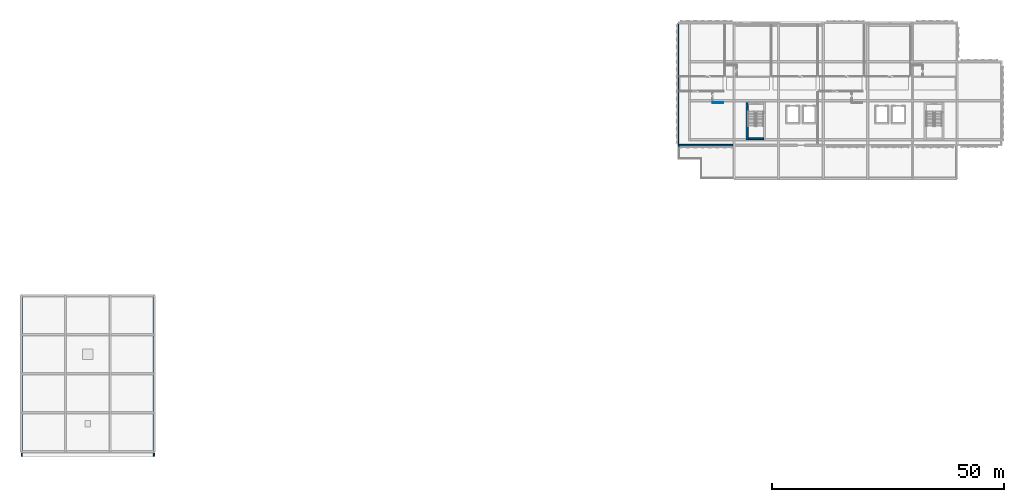
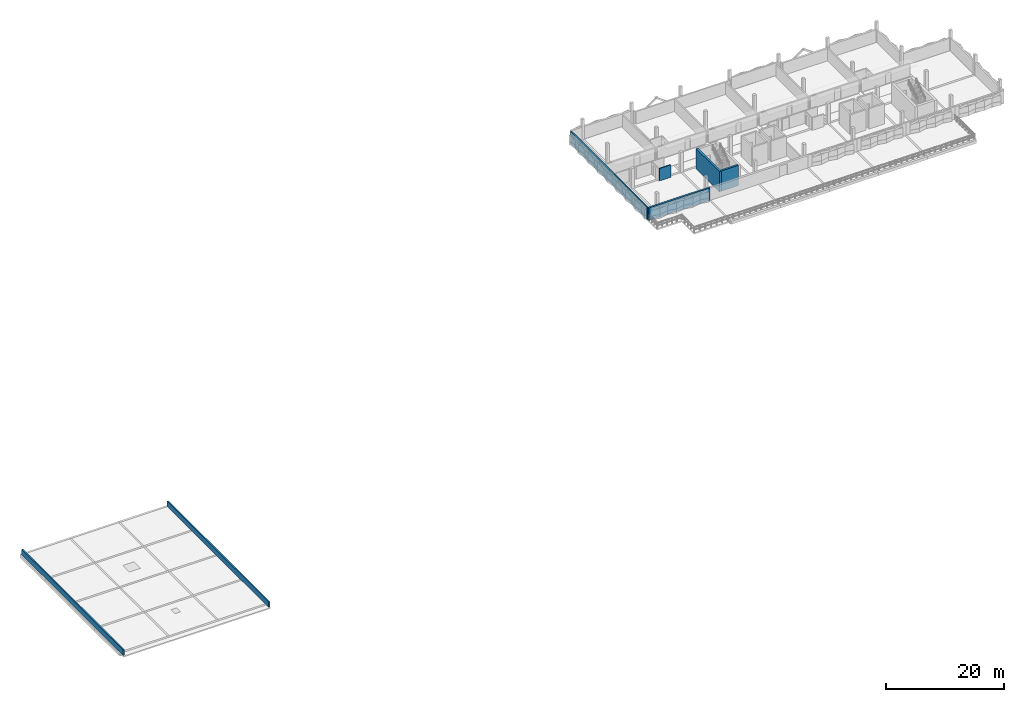
# One storey, part 6 of 13: 7 walls.
"""IFC4 building model written with IfcOpenShell, lengths in metres."""

import ifcopenshell
import ifcopenshell.guid

model = None  # the IFC model being written
_history = None  # IfcOwnerHistory: only IFC2X3 demands one
_inside = {}  # id of a spatial element -> (the spatial element, [elements in it])
_under = {}  # id of a project, library or spatial element -> (it, [spatial elements below it])
_declared = {}  # id of a project -> (the project, [libraries it declares])
_typed = {}  # id of a type object -> (the type object, [elements of that type])
_made_of = {}  # id of a material, layer set ... -> (it, [elements and type objects made of it])


def new_model(schema):
    """Start an empty IFC model of exactly this schema.

    Asked for "IFC4X3", IfcOpenShell would pick the latest addendum, in which some entities
    have other attributes; the version numbers below select the first issue.
    IFC2X3 requires an IfcOwnerHistory on every rooted entity: one is made here for all.
    """
    global model, _history
    if schema == "IFC4X3":
        model = ifcopenshell.file(schema_version=(4, 3, 0, 0))
    else:
        model = ifcopenshell.file(schema=schema)
    _inside.clear()
    _under.clear()
    _declared.clear()
    _typed.clear()
    _made_of.clear()
    _history = None
    if model.schema == "IFC2X3":
        org = make("IfcOrganization", Name="unknown")
        user = make(
            "IfcPersonAndOrganization",
            ThePerson=make("IfcPerson", FamilyName="unknown"),
            TheOrganization=org,
        )
        app = make(
            "IfcApplication",
            ApplicationDeveloper=org,
            Version="unknown",
            ApplicationFullName="unknown",
            ApplicationIdentifier="unknown",
        )
        _history = make(
            "IfcOwnerHistory",
            OwningUser=user,
            OwningApplication=app,
            ChangeAction="ADDED",
            CreationDate=0,
        )
    return model


def make(cls, **values):
    """One entity of the class cls with the attributes given. An attribute that is None is left unset."""
    return model.create_entity(
        cls, **{name: value for name, value in values.items() if value is not None}
    )


def rooted(cls, **values):
    """An entity with a GlobalId (a new one), such as an element, a storey or a relation."""
    return make(cls, GlobalId=ifcopenshell.guid.new(), OwnerHistory=_history, **values)


def si_unit(unit_type, name, prefix=None):
    """IfcSIUnit, for example si_unit("LENGTHUNIT", "METRE", prefix="MILLI")."""
    return make("IfcSIUnit", UnitType=unit_type, Prefix=prefix, Name=name)


def assignment(units):
    """IfcUnitAssignment: the units of a project."""
    return None if units is None else make("IfcUnitAssignment", Units=units)


def point(xyz):
    """IfcCartesianPoint."""
    return None if xyz is None else make("IfcCartesianPoint", Coordinates=xyz)


def direction(xyz):
    """IfcDirection."""
    return None if xyz is None else make("IfcDirection", DirectionRatios=xyz)


def frame(location, z_axis=None, x_axis=None):
    """IfcAxis2Placement3D, a coordinate frame: its origin and axes. An axis left out is left unset."""
    return make(
        "IfcAxis2Placement3D",
        Location=point(location),
        Axis=direction(z_axis),
        RefDirection=direction(x_axis),
    )


def frame_2d(location, x_axis=None):
    """IfcAxis2Placement2D, a coordinate frame in the plane: its origin and x axis."""
    return make(
        "IfcAxis2Placement2D", Location=point(location), RefDirection=direction(x_axis)
    )


def origin():
    """The frame at (0, 0, 0) with its axes left unset."""
    return frame((0.0, 0.0, 0.0))


def place(relative_to, where):
    """IfcLocalPlacement: puts the frame where relative to a parent placement (None: the world)."""
    return make(
        "IfcLocalPlacement", PlacementRelTo=relative_to, RelativePlacement=where
    )


def context(
    kind, dimensions, precision=None, world=None, true_north=None, identifier=None
):
    """IfcGeometricRepresentationContext, for example the 3D "Model" context."""
    return make(
        "IfcGeometricRepresentationContext",
        ContextIdentifier=identifier,
        ContextType=kind,
        CoordinateSpaceDimension=dimensions,
        Precision=precision,
        WorldCoordinateSystem=world,
        TrueNorth=true_north,
    )


def subcontext(parent, identifier, kind, view, scale=None):
    """IfcGeometricRepresentationSubContext, for example "Body" below "Model"."""
    return make(
        "IfcGeometricRepresentationSubContext",
        ContextIdentifier=identifier,
        ContextType=kind,
        ParentContext=parent,
        TargetScale=scale,
        TargetView=view,
    )


def project(units=None, contexts=None):
    """IfcProject with its units and contexts."""
    return rooted(
        "IfcProject",
        Name="project",
        RepresentationContexts=contexts,
        UnitsInContext=assignment(units),
    )


def spatial(cls, under=None, at=None, **own):
    """A site, building, storey or space (cls), placed at a placement, below another one or the project."""
    s = rooted(cls, ObjectPlacement=at, **own)
    if under is not None:
        _under.setdefault(under.id(), (under, []))[1].append(s)
    return s


def profile(cls, at=None, kind="AREA", **sizes):
    """A parametric profile (cls). Its sizes go by their IFC names, for example OverallWidth=200.0."""
    return make(cls, ProfileType=kind, Position=at, **sizes)


def rectangle(**sizes):
    """IfcRectangleProfileDef."""
    return profile("IfcRectangleProfileDef", **sizes)


def extrude(swept, where, along, depth):
    """IfcExtrudedAreaSolid: the profile swept, set in the frame where, extruded along a direction by depth."""
    return make(
        "IfcExtrudedAreaSolid",
        SweptArea=swept,
        Position=where,
        ExtrudedDirection=direction(along),
        Depth=depth,
    )


def shape(context_of_items, identifier, shape_type, items):
    """IfcShapeRepresentation: the items that make up one representation, for example the "Body"."""
    return make(
        "IfcShapeRepresentation",
        ContextOfItems=context_of_items,
        RepresentationIdentifier=identifier,
        RepresentationType=shape_type,
        Items=items,
    )


def material(Name=None, Category=None):
    """IfcMaterial."""
    return make("IfcMaterial", Name=Name, Category=Category)


def layer(
    of_material, thickness, ventilated=None, Name=None, Category=None, Priority=None
):
    """IfcMaterialLayer: one layer of a wall or slab, of a material (None: an air gap)."""
    return make(
        "IfcMaterialLayer",
        Material=of_material,
        LayerThickness=thickness,
        IsVentilated=ventilated,
        Name=Name,
        Category=Category,
        Priority=Priority,
    )


def layer_set(layers, Name=None):
    """IfcMaterialLayerSet."""
    return make("IfcMaterialLayerSet", MaterialLayers=layers, LayerSetName=Name)


def made_of(thing, what):
    """Note that an element or type object is made of a material, layer set ...; save() writes the relation."""
    if what is not None:
        _made_of.setdefault(what.id(), (what, []))[1].append(thing)
    return thing


def type_object(cls, material=None, **own):
    """A type object (cls), such as IfcWallType, which elements share."""
    return made_of(rooted(cls, **own), material)


def element(
    cls,
    number,
    at=None,
    inside=None,
    cuts=None,
    type_object=None,
    material=None,
    context=None,
    identifier="Body",
    shape_type=None,
    held_by="IfcProductDefinitionShape",
    body=None,
    shapes=None,
    **own,
):
    """One element of the class cls, such as IfcWall. Its Tag is "e" and its number.

    at: its placement. inside: the storey or other place that contains it. cuts: it is an
    opening in that element (IfcRelVoidsElement). A single representation is given by context,
    identifier, shape_type and body (its items); several are given by shapes. held_by: the class
    of the entity that holds the representations. save() writes the other relations.
    """
    e = rooted(cls, Tag="e%d" % number, ObjectPlacement=at, **own)
    if body is not None:
        shapes = [shape(context, identifier, shape_type, body)]
    if shapes is not None:
        e.Representation = make(held_by, Representations=shapes)
    if inside is not None:
        _inside.setdefault(inside.id(), (inside, []))[1].append(e)
    if cuts is not None:
        rooted(
            "IfcRelVoidsElement", RelatingBuildingElement=cuts, RelatedOpeningElement=e
        )
    if type_object is not None:
        _typed.setdefault(type_object.id(), (type_object, []))[1].append(e)
    return made_of(e, material)


def aggregate(whole, parts):
    """IfcRelAggregates: a whole, such as a stair, and the parts it consists of."""
    return rooted("IfcRelAggregates", RelatingObject=whole, RelatedObjects=parts)


def save(model, path):
    """Write the relations noted so far, then the file.

    IfcRelAggregates (storeys below a building ...), IfcRelContainedInSpatialStructure (elements
    in a storey), IfcRelDefinesByType, IfcRelAssociatesMaterial and IfcRelDeclares: one each for
    every whole, place, type object, material and project.
    """
    for whole, parts in _under.values():
        aggregate(whole, parts)
    for where, things in _inside.values():
        rooted(
            "IfcRelContainedInSpatialStructure",
            RelatedElements=things,
            RelatingStructure=where,
        )
    for kind, things in _typed.values():
        rooted("IfcRelDefinesByType", RelatedObjects=things, RelatingType=kind)
    for what, things in _made_of.values():
        rooted("IfcRelAssociatesMaterial", RelatedObjects=things, RelatingMaterial=what)
    for by, libraries in _declared.values():
        rooted("IfcRelDeclares", RelatingContext=by, RelatedDefinitions=libraries)
    model.write(path)


model = new_model("IFC4")

# Units and contexts
model_context = context("Model", 3, precision=1e-05, world=origin(), true_north=direction((0.0, 1.0)))
body_context = subcontext(model_context, "Body", "Model", "MODEL_VIEW")
ifc_project = project(units=[si_unit("LENGTHUNIT", "METRE"), si_unit("AREAUNIT", "SQUARE_METRE"), si_unit("VOLUMEUNIT", "CUBIC_METRE"), si_unit("PLANEANGLEUNIT", "RADIAN"), si_unit("MASSUNIT", "GRAM", prefix="KILO")], contexts=[model_context])

# Site, building, storey
site_placement = place(None, origin())
site = spatial("IfcSite", under=ifc_project, at=site_placement, CompositionType="ELEMENT")
building_placement = place(site_placement, origin())
building = spatial("IfcBuilding", under=site, at=building_placement, Name="Oolite Switchyard Hospital", CompositionType="ELEMENT")
storey_placement = place(building_placement, frame((0.0, 0.0, 30.39990234375)))
storey = spatial("IfcBuildingStorey", under=building, at=storey_placement, Name="L07", CompositionType="ELEMENT", Elevation=30.39990234375)

# Walls
ifc_material_1 = material(Name="Precast oolitic limestone architectural concrete C40/50", Category="masonry")
ifc_layer_1 = layer(ifc_material_1, 0.260009765625)
ifc_layer_set_1 = layer_set([ifc_layer_1], Name="WAL-EXT-260")
wall_type_1 = type_object("IfcWallType", Name="WAL-EXT-260", PredefinedType="SOLIDWALL", material=ifc_layer_set_1)
wall_1_placement = place(storey_placement, frame((141.60009765625, 108.159912109375, 0.0), z_axis=(0.0, 0.0, 1.0), x_axis=(0.0, 1.0, 0.0)))
element("IfcWall", 1, at=wall_1_placement, inside=storey, type_object=wall_type_1, Name="L07 Exterior Spandrel Wall 399", PredefinedType="SOLIDWALL", context=body_context, shape_type="SweptSolid", body=[
    extrude(rectangle(XDim=26.080078125, YDim=0.260009765625, at=frame_2d((13.0400390625, 0.0))), origin(), (0.0, 0.0, 1.0), 2.580078125),
])
ifc_layer_2 = layer(ifc_material_1, 0.360107421875)
ifc_layer_set_2 = layer_set([ifc_layer_2], Name="WAL-EXT-360")
wall_type_2 = type_object("IfcWallType", Name="WAL-EXT-360", PredefinedType="SOLIDWALL", material=ifc_layer_set_2)
wall_2_placement = place(storey_placement, frame((153.60009765625, 108.0, 0.0), z_axis=(0.0, 0.0, 1.0), x_axis=(-1.0, 0.0, 0.0)))
element("IfcWall", 2, at=wall_2_placement, inside=storey, type_object=wall_type_2, Name="L07 Exterior Spandrel Wall 383", PredefinedType="SOLIDWALL", context=body_context, shape_type="SweptSolid", body=[
    extrude(rectangle(XDim=12.0, YDim=0.360107421875, at=frame_2d((6.0, 0.0))), origin(), (0.0, 0.0, 1.0), 2.580078125),
])
ifc_layer_3 = layer(ifc_material_1, 0.25)
ifc_layer_set_3 = layer_set([ifc_layer_3], Name="WAL-PAR-250")
wall_type_3 = type_object("IfcWallType", Name="WAL-PAR-250", PredefinedType="PARAPET", material=ifc_layer_set_3)
for number, where, z_axis, x_axis, name in (
    (3, (0.14990234375, 41.0, 0.0), (0.0, 0.0, 1.0), (0.0, 1.0, 0.0), "L07 Roof Parapet Wall 10"),
    (4, (28.64990234375, 41.0, 0.0), (0.0, 0.0, 1.0), (0.0, 1.0, 0.0), "L07 Roof Parapet Wall 11"),
):
    element("IfcWall", number, at=place(storey_placement, frame(where, z_axis=z_axis, x_axis=x_axis)), inside=storey, type_object=wall_type_3, Name=name, PredefinedType="PARAPET", context=body_context, shape_type="SweptSolid", body=[
        extrude(rectangle(XDim=34.39990234375, YDim=0.25, at=frame_2d((17.199951171875, 0.0))), origin(), (0.0, 0.0, 1.0), 1.150146484375),
    ])
ifc_material_2 = material(Name="Moisture-resistant gypsum board on steel studs", Category="steel")
ifc_layer_4 = layer(ifc_material_2, 0.14990234375)
ifc_layer_set_4 = layer_set([ifc_layer_4], Name="WAL-PART-150")
wall_type_4 = type_object("IfcWallType", Name="WAL-PART-150", PredefinedType="PARTITIONING", material=ifc_layer_set_4)
wall_3_placement = place(storey_placement, frame((149.050048828125, 117.14990234375, 0.0), z_axis=(0.0, 0.0, 1.0), x_axis=(1.0, 0.0, 0.0)))
element("IfcWall", 5, at=wall_3_placement, inside=storey, type_object=wall_type_4, Name="L07 Interior Partition 895", PredefinedType="PARTITIONING", context=body_context, shape_type="SweptSolid", body=[
    extrude(rectangle(XDim=2.199951171875, YDim=0.14990234375, at=frame_2d((1.10009765625, 0.0))), origin(), (0.0, 0.0, 1.0), 2.580078125),
])
ifc_material_3 = material(Name="Concrete C50/60", Category="concrete")
ifc_layer_5 = layer(ifc_material_3, 0.39990234375)
ifc_layer_set_5 = layer_set([ifc_layer_5], Name="WAL-SHR-400")
wall_type_5 = type_object("IfcWallType", Name="WAL-SHR-400", PredefinedType="SHEAR", material=ifc_layer_set_5)
wall_4_placement = place(storey_placement, frame((156.39990234375, 117.14990234375, 0.0), z_axis=(0.0, 0.0, 1.0), x_axis=(0.0, -1.0, 0.0)))
element("IfcWall", 6, at=wall_4_placement, inside=storey, type_object=wall_type_5, Name="L07 Core Shear Wall ST-03", PredefinedType="SHEAR", context=body_context, shape_type="SweptSolid", body=[
    extrude(rectangle(XDim=7.949951171875, YDim=0.39990234375, at=frame_2d((3.97509765625, 0.0))), origin(), (0.0, 0.0, 1.0), 4.2001953125),
])
wall_5_placement = place(storey_placement, frame((156.60009765625, 109.39990234375, 0.0), z_axis=(0.0, 0.0, 1.0), x_axis=(1.0, 0.0, 0.0)))
element("IfcWall", 7, at=wall_5_placement, inside=storey, type_object=wall_type_5, Name="L07 Core Shear Wall ST-03", PredefinedType="SHEAR", context=body_context, shape_type="SweptSolid", body=[
    extrude(rectangle(XDim=3.35986328125, YDim=0.39990234375, at=frame_2d((1.679931640625, 0.0))), origin(), (0.0, 0.0, 1.0), 4.2001953125),
])

save(model, "model.ifc")
